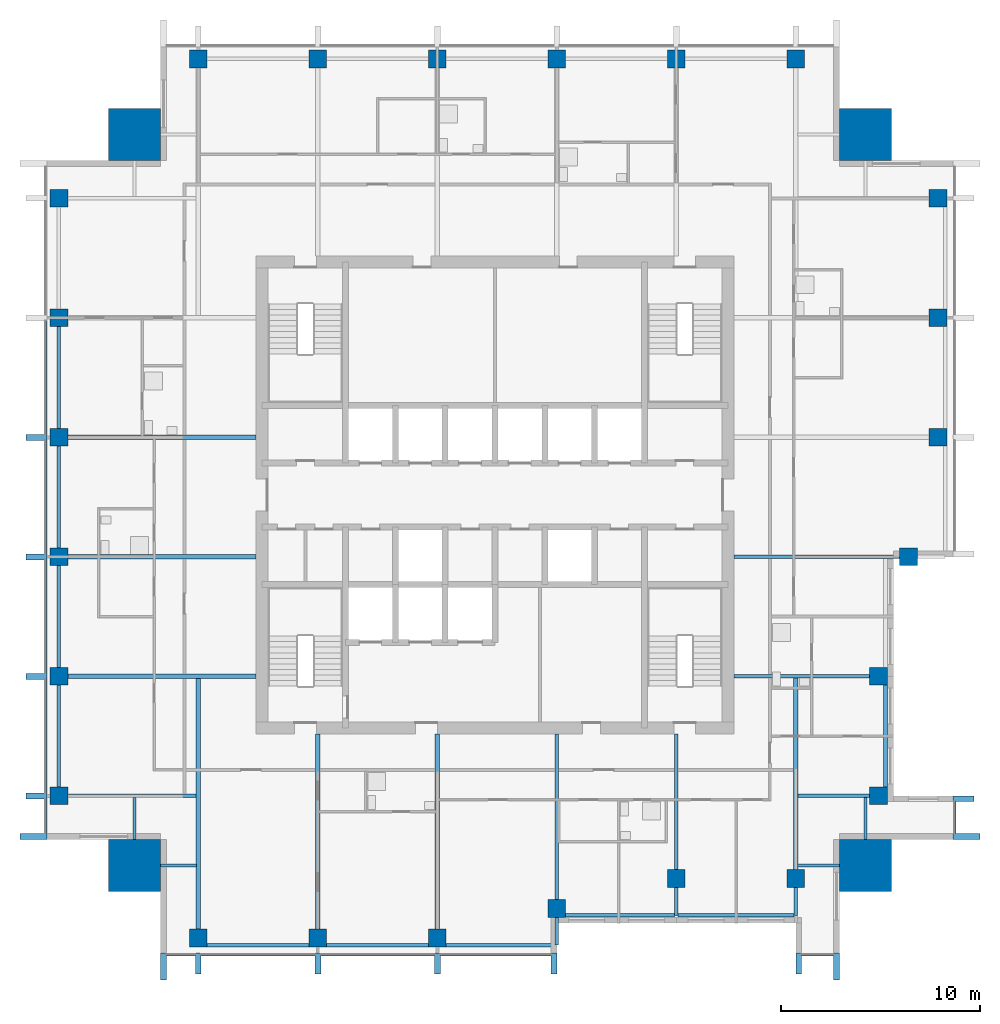
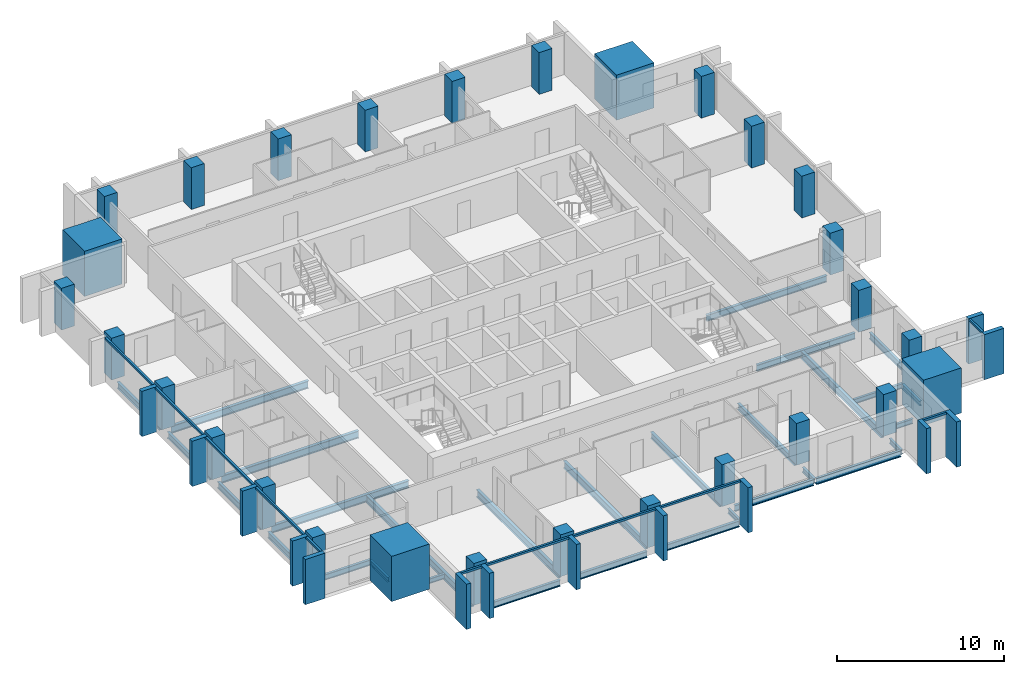
# One storey, part 1 of 9: 30 beams, 28 columns, 25 members, 4 elements without a shape of their own.
"""IFC4 building model written with IfcOpenShell, lengths in metres."""

import ifcopenshell
import ifcopenshell.guid

model = None  # the IFC model being written
_history = None  # IfcOwnerHistory: only IFC2X3 demands one
_inside = {}  # id of a spatial element -> (the spatial element, [elements in it])
_under = {}  # id of a project, library or spatial element -> (it, [spatial elements below it])
_declared = {}  # id of a project -> (the project, [libraries it declares])
_typed = {}  # id of a type object -> (the type object, [elements of that type])
_made_of = {}  # id of a material, layer set ... -> (it, [elements and type objects made of it])


def new_model(schema):
    """Start an empty IFC model of exactly this schema.

    Asked for "IFC4X3", IfcOpenShell would pick the latest addendum, in which some entities
    have other attributes; the version numbers below select the first issue.
    IFC2X3 requires an IfcOwnerHistory on every rooted entity: one is made here for all.
    """
    global model, _history
    if schema == "IFC4X3":
        model = ifcopenshell.file(schema_version=(4, 3, 0, 0))
    else:
        model = ifcopenshell.file(schema=schema)
    _inside.clear()
    _under.clear()
    _declared.clear()
    _typed.clear()
    _made_of.clear()
    _history = None
    if model.schema == "IFC2X3":
        org = make("IfcOrganization", Name="unknown")
        user = make(
            "IfcPersonAndOrganization",
            ThePerson=make("IfcPerson", FamilyName="unknown"),
            TheOrganization=org,
        )
        app = make(
            "IfcApplication",
            ApplicationDeveloper=org,
            Version="unknown",
            ApplicationFullName="unknown",
            ApplicationIdentifier="unknown",
        )
        _history = make(
            "IfcOwnerHistory",
            OwningUser=user,
            OwningApplication=app,
            ChangeAction="ADDED",
            CreationDate=0,
        )
    return model


def make(cls, **values):
    """One entity of the class cls with the attributes given. An attribute that is None is left unset."""
    return model.create_entity(
        cls, **{name: value for name, value in values.items() if value is not None}
    )


def rooted(cls, **values):
    """An entity with a GlobalId (a new one), such as an element, a storey or a relation."""
    return make(cls, GlobalId=ifcopenshell.guid.new(), OwnerHistory=_history, **values)


def si_unit(unit_type, name, prefix=None):
    """IfcSIUnit, for example si_unit("LENGTHUNIT", "METRE", prefix="MILLI")."""
    return make("IfcSIUnit", UnitType=unit_type, Prefix=prefix, Name=name)


def assignment(units):
    """IfcUnitAssignment: the units of a project."""
    return None if units is None else make("IfcUnitAssignment", Units=units)


def point(xyz):
    """IfcCartesianPoint."""
    return None if xyz is None else make("IfcCartesianPoint", Coordinates=xyz)


def direction(xyz):
    """IfcDirection."""
    return None if xyz is None else make("IfcDirection", DirectionRatios=xyz)


def frame(location, z_axis=None, x_axis=None):
    """IfcAxis2Placement3D, a coordinate frame: its origin and axes. An axis left out is left unset."""
    return make(
        "IfcAxis2Placement3D",
        Location=point(location),
        Axis=direction(z_axis),
        RefDirection=direction(x_axis),
    )


def frame_2d(location, x_axis=None):
    """IfcAxis2Placement2D, a coordinate frame in the plane: its origin and x axis."""
    return make(
        "IfcAxis2Placement2D", Location=point(location), RefDirection=direction(x_axis)
    )


def origin():
    """The frame at (0, 0, 0) with its axes left unset."""
    return frame((0.0, 0.0, 0.0))


def origin_2d():
    """The frame at (0, 0) in the plane with its x axis left unset."""
    return frame_2d((0.0, 0.0))


def place(relative_to, where):
    """IfcLocalPlacement: puts the frame where relative to a parent placement (None: the world)."""
    return make(
        "IfcLocalPlacement", PlacementRelTo=relative_to, RelativePlacement=where
    )


def context(
    kind, dimensions, precision=None, world=None, true_north=None, identifier=None
):
    """IfcGeometricRepresentationContext, for example the 3D "Model" context."""
    return make(
        "IfcGeometricRepresentationContext",
        ContextIdentifier=identifier,
        ContextType=kind,
        CoordinateSpaceDimension=dimensions,
        Precision=precision,
        WorldCoordinateSystem=world,
        TrueNorth=true_north,
    )


def subcontext(parent, identifier, kind, view, scale=None):
    """IfcGeometricRepresentationSubContext, for example "Body" below "Model"."""
    return make(
        "IfcGeometricRepresentationSubContext",
        ContextIdentifier=identifier,
        ContextType=kind,
        ParentContext=parent,
        TargetScale=scale,
        TargetView=view,
    )


def project(units=None, contexts=None):
    """IfcProject with its units and contexts."""
    return rooted(
        "IfcProject",
        Name="project",
        RepresentationContexts=contexts,
        UnitsInContext=assignment(units),
    )


def spatial(cls, under=None, at=None, **own):
    """A site, building, storey or space (cls), placed at a placement, below another one or the project."""
    s = rooted(cls, ObjectPlacement=at, **own)
    if under is not None:
        _under.setdefault(under.id(), (under, []))[1].append(s)
    return s


def profile(cls, at=None, kind="AREA", **sizes):
    """A parametric profile (cls). Its sizes go by their IFC names, for example OverallWidth=200.0."""
    return make(cls, ProfileType=kind, Position=at, **sizes)


def rectangle(**sizes):
    """IfcRectangleProfileDef."""
    return profile("IfcRectangleProfileDef", **sizes)


def i_section(**sizes):
    """IfcIShapeProfileDef."""
    return profile("IfcIShapeProfileDef", **sizes)


def extrude(swept, where, along, depth):
    """IfcExtrudedAreaSolid: the profile swept, set in the frame where, extruded along a direction by depth."""
    return make(
        "IfcExtrudedAreaSolid",
        SweptArea=swept,
        Position=where,
        ExtrudedDirection=direction(along),
        Depth=depth,
    )


def shape(context_of_items, identifier, shape_type, items):
    """IfcShapeRepresentation: the items that make up one representation, for example the "Body"."""
    return make(
        "IfcShapeRepresentation",
        ContextOfItems=context_of_items,
        RepresentationIdentifier=identifier,
        RepresentationType=shape_type,
        Items=items,
    )


def material(Name=None, Category=None):
    """IfcMaterial."""
    return make("IfcMaterial", Name=Name, Category=Category)


def material_profile(
    of_material, cross_section, Name=None, Category=None, Priority=None
):
    """IfcMaterialProfile: a cross section and its material."""
    return make(
        "IfcMaterialProfile",
        Name=Name,
        Material=of_material,
        Profile=cross_section,
        Priority=Priority,
        Category=Category,
    )


def profile_set(profiles, Name=None, composite=None):
    """IfcMaterialProfileSet."""
    return make(
        "IfcMaterialProfileSet",
        Name=Name,
        MaterialProfiles=profiles,
        CompositeProfile=composite,
    )


def made_of(thing, what):
    """Note that an element or type object is made of a material, layer set ...; save() writes the relation."""
    if what is not None:
        _made_of.setdefault(what.id(), (what, []))[1].append(thing)
    return thing


def type_object(cls, material=None, **own):
    """A type object (cls), such as IfcWallType, which elements share."""
    return made_of(rooted(cls, **own), material)


def element(
    cls,
    number,
    at=None,
    inside=None,
    cuts=None,
    type_object=None,
    material=None,
    context=None,
    identifier="Body",
    shape_type=None,
    held_by="IfcProductDefinitionShape",
    body=None,
    shapes=None,
    **own,
):
    """One element of the class cls, such as IfcWall. Its Tag is "e" and its number.

    at: its placement. inside: the storey or other place that contains it. cuts: it is an
    opening in that element (IfcRelVoidsElement). A single representation is given by context,
    identifier, shape_type and body (its items); several are given by shapes. held_by: the class
    of the entity that holds the representations. save() writes the other relations.
    """
    e = rooted(cls, Tag="e%d" % number, ObjectPlacement=at, **own)
    if body is not None:
        shapes = [shape(context, identifier, shape_type, body)]
    if shapes is not None:
        e.Representation = make(held_by, Representations=shapes)
    if inside is not None:
        _inside.setdefault(inside.id(), (inside, []))[1].append(e)
    if cuts is not None:
        rooted(
            "IfcRelVoidsElement", RelatingBuildingElement=cuts, RelatedOpeningElement=e
        )
    if type_object is not None:
        _typed.setdefault(type_object.id(), (type_object, []))[1].append(e)
    return made_of(e, material)


def aggregate(whole, parts):
    """IfcRelAggregates: a whole, such as a stair, and the parts it consists of."""
    return rooted("IfcRelAggregates", RelatingObject=whole, RelatedObjects=parts)


def save(model, path):
    """Write the relations noted so far, then the file.

    IfcRelAggregates (storeys below a building ...), IfcRelContainedInSpatialStructure (elements
    in a storey), IfcRelDefinesByType, IfcRelAssociatesMaterial and IfcRelDeclares: one each for
    every whole, place, type object, material and project.
    """
    for whole, parts in _under.values():
        aggregate(whole, parts)
    for where, things in _inside.values():
        rooted(
            "IfcRelContainedInSpatialStructure",
            RelatedElements=things,
            RelatingStructure=where,
        )
    for kind, things in _typed.values():
        rooted("IfcRelDefinesByType", RelatedObjects=things, RelatingType=kind)
    for what, things in _made_of.values():
        rooted("IfcRelAssociatesMaterial", RelatedObjects=things, RelatingMaterial=what)
    for by, libraries in _declared.values():
        rooted("IfcRelDeclares", RelatingContext=by, RelatedDefinitions=libraries)
    model.write(path)


model = new_model("IFC4")

# Units and contexts
model_context = context("Model", 3, precision=1e-05, world=origin(), true_north=direction((0.0, 1.0)))
body_context = subcontext(model_context, "Body", "Model", "MODEL_VIEW")
ifc_project = project(units=[si_unit("LENGTHUNIT", "METRE"), si_unit("AREAUNIT", "SQUARE_METRE"), si_unit("VOLUMEUNIT", "CUBIC_METRE"), si_unit("PLANEANGLEUNIT", "RADIAN"), si_unit("MASSUNIT", "GRAM", prefix="KILO")], contexts=[model_context])

# Site, building, storey
site_placement = place(None, origin())
site = spatial("IfcSite", under=ifc_project, at=site_placement, CompositionType="ELEMENT")
building_placement = place(site_placement, origin())
building = spatial("IfcBuilding", under=site, at=building_placement, Name="Amberfall Residences", CompositionType="ELEMENT")
storey_placement = place(building_placement, frame((0.0, 0.0, 210.10009765625)))
storey = spatial("IfcBuildingStorey", under=building, at=storey_placement, Name="L56", CompositionType="ELEMENT", Elevation=210.10009765625)

# Columns
ifc_material_1 = material(Name="Concrete C55", Category="concrete")
ifc_material_profile_1 = material_profile(ifc_material_1, rectangle(XDim=0.89990234375, YDim=0.89990234375, at=origin_2d()), Name="Column 900 x 900 C55")
ifc_profile_set_1 = profile_set([ifc_material_profile_1], Name="Concrete C55")
column_type_1 = type_object("IfcColumnType", Name="Column 900 x 900 C55", PredefinedType="COLUMN", material=ifc_profile_set_1)
for number, where, z_axis, x_axis, name in (
    (1, (59.60009765625, 23.25, 0.0), (0.0, 0.0, 1.0), (1.0, 0.0, 0.0), "Column C4 L56 S1"),
    (2, (65.60009765625, 23.25, 0.0), (0.0, 0.0, 1.0), (1.0, 0.0, 0.0), "Column C4 L56 S2"),
    (3, (71.60009765625, 23.25, 0.0), (0.0, 0.0, 1.0), (1.0, 0.0, 0.0), "Column C4 L56 S3"),
    (4, (77.60009765625, 24.75, 0.0), (0.0, 0.0, 1.0), (1.0, 0.0, 0.0), "Column C4 L56 S4"),
    (5, (83.60009765625, 26.25, 0.0), (0.0, 0.0, 1.0), (1.0, 0.0, 0.0), "Column C4 L56 S5"),
    (6, (89.60009765625, 26.25, 0.0), (0.0, 0.0, 1.0), (1.0, 0.0, 0.0), "Column C4 L56 S6"),
    (7, (93.75, 30.39990234375, 0.0), (0.0, 0.0, 1.0), (1.0, 0.0, 0.0), "Column C4 L56 E1"),
    (8, (93.75, 36.39990234375, 0.0), (0.0, 0.0, 1.0), (1.0, 0.0, 0.0), "Column C4 L56 E2"),
    (9, (95.25, 42.39990234375, 0.0), (0.0, 0.0, 1.0), (1.0, 0.0, 0.0), "Column C4 L56 E3"),
    (10, (96.75, 48.39990234375, 0.0), (0.0, 0.0, 1.0), (1.0, 0.0, 0.0), "Column C4 L56 E4"),
    (11, (96.75, 54.39990234375, 0.0), (0.0, 0.0, 1.0), (1.0, 0.0, 0.0), "Column C4 L56 E5"),
    (12, (96.75, 60.39990234375, 0.0), (0.0, 0.0, 1.0), (1.0, 0.0, 0.0), "Column C4 L56 E6"),
    (13, (59.60009765625, 67.39990234375, 0.0), (0.0, 0.0, 1.0), (1.0, 0.0, 0.0), "Column C4 L56 N1"),
    (14, (65.60009765625, 67.39990234375, 0.0), (0.0, 0.0, 1.0), (1.0, 0.0, 0.0), "Column C4 L56 N2"),
    (15, (71.60009765625, 67.39990234375, 0.0), (0.0, 0.0, 1.0), (1.0, 0.0, 0.0), "Column C4 L56 N3"),
    (16, (77.60009765625, 67.39990234375, 0.0), (0.0, 0.0, 1.0), (1.0, 0.0, 0.0), "Column C4 L56 N4"),
    (17, (83.60009765625, 67.39990234375, 0.0), (0.0, 0.0, 1.0), (1.0, 0.0, 0.0), "Column C4 L56 N5"),
    (18, (89.60009765625, 67.39990234375, 0.0), (0.0, 0.0, 1.0), (1.0, 0.0, 0.0), "Column C4 L56 N6"),
    (19, (52.60009765625, 30.39990234375, 0.0), (0.0, 0.0, 1.0), (1.0, 0.0, 0.0), "Column C4 L56 W1"),
    (20, (52.60009765625, 36.39990234375, 0.0), (0.0, 0.0, 1.0), (1.0, 0.0, 0.0), "Column C4 L56 W2"),
    (21, (52.60009765625, 42.39990234375, 0.0), (0.0, 0.0, 1.0), (1.0, 0.0, 0.0), "Column C4 L56 W3"),
    (22, (52.60009765625, 48.39990234375, 0.0), (0.0, 0.0, 1.0), (1.0, 0.0, 0.0), "Column C4 L56 W4"),
    (23, (52.60009765625, 54.39990234375, 0.0), (0.0, 0.0, 1.0), (1.0, 0.0, 0.0), "Column C4 L56 W5"),
    (24, (52.60009765625, 60.39990234375, 0.0), (0.0, 0.0, 1.0), (1.0, 0.0, 0.0), "Column C4 L56 W6"),
):
    element("IfcColumn", number, at=place(storey_placement, frame(where, z_axis=z_axis, x_axis=x_axis)), inside=storey, type_object=column_type_1, Name=name, PredefinedType="COLUMN", context=body_context, shape_type="SweptSolid", body=[
        extrude(rectangle(XDim=0.89990234375, YDim=0.89990234375, at=origin_2d()), origin(), (0.0, 0.0, 1.0), 3.0498046875),
    ])
ifc_material_profile_2 = material_profile(ifc_material_1, rectangle(XDim=2.60009765625, YDim=2.60009765625, at=origin_2d()), Name="Mega column 2600 x 2600 C55")
ifc_profile_set_2 = profile_set([ifc_material_profile_2], Name="Concrete C55")
column_type_2 = type_object("IfcColumnType", Name="Mega column 2600 x 2600 C55", PredefinedType="COLUMN", material=ifc_profile_set_2)
for number, where, z_axis, x_axis, name in (
    (25, (56.39990234375, 26.89990234375, 0.0), (0.0, 0.0, 1.0), (1.0, 0.0, 0.0), "Mega column MC8 L56 SW"),
    (26, (93.10009765625, 26.89990234375, 0.0), (0.0, 0.0, 1.0), (1.0, 0.0, 0.0), "Mega column MC8 L56 SE"),
    (27, (93.10009765625, 63.60009765625, 0.0), (0.0, 0.0, 1.0), (1.0, 0.0, 0.0), "Mega column MC8 L56 NE"),
    (28, (56.39990234375, 63.60009765625, 0.0), (0.0, 0.0, 1.0), (1.0, 0.0, 0.0), "Mega column MC8 L56 NW"),
):
    element("IfcColumn", number, at=place(storey_placement, frame(where, z_axis=z_axis, x_axis=x_axis)), inside=storey, type_object=column_type_2, Name=name, PredefinedType="COLUMN", context=body_context, shape_type="SweptSolid", body=[
        extrude(rectangle(XDim=2.60009765625, YDim=2.60009765625, at=origin_2d()), origin(), (0.0, 0.0, 1.0), 3.2998046875),
    ])

# Curtain wall, members
ifc_material_2 = material(Name="Bronze anodised aluminium and glass", Category="aluminium")
curtain_wall_type = type_object("IfcCurtainWallType", Name="Curtain wall CW1 tower unit", PredefinedType="USERDEFINED", material=ifc_material_2)
curtain_wall_1_placement = place(storey_placement, origin())
curtain_wall_1 = element("IfcCurtainWall", 29, at=curtain_wall_1_placement, inside=storey, type_object=curtain_wall_type, Name="Curtain wall L56 S S1", ObjectType="UNITISED CURTAIN WALL", PredefinedType="USERDEFINED")
ifc_material_3 = material(Name="Bronze anodised aluminium", Category="aluminium")
ifc_material_profile_3 = material_profile(ifc_material_3, rectangle(XDim=0.14990234375, YDim=0.14990234375, at=origin_2d()), Name="CW1 transom 150 x 150 bronze")
ifc_profile_set_3 = profile_set([ifc_material_profile_3], Name="Bronze anodised aluminium")
member_type_1 = type_object("IfcMemberType", Name="CW1 transom 150 x 150 bronze", PredefinedType="USERDEFINED", material=ifc_profile_set_3)
member_1_placement = place(storey_placement, frame((58.0, 22.425048828125, 2.974853515625), z_axis=(1.0, 0.0, 0.0), x_axis=(0.0, 1.0, 0.0)))
member_1 = element("IfcMember", 30, at=member_1_placement, type_object=member_type_1, Name="CW1 transom 1.1", ObjectType="TRANSOM", PredefinedType="USERDEFINED", context=body_context, shape_type="SweptSolid", body=[
    extrude(rectangle(XDim=0.14990234375, YDim=0.14990234375, at=origin_2d()), origin(), (0.0, 0.0, 1.0), 1.449951171875),
])
member_2_placement = place(storey_placement, frame((59.75, 22.425048828125, 2.974853515625), z_axis=(1.0, 0.0, 0.0), x_axis=(0.0, 1.0, 0.0)))
member_2 = element("IfcMember", 31, at=member_2_placement, type_object=member_type_1, Name="CW1 transom 2.1", ObjectType="TRANSOM", PredefinedType="USERDEFINED", context=body_context, shape_type="SweptSolid", body=[
    extrude(rectangle(XDim=0.14990234375, YDim=0.14990234375, at=origin_2d()), origin(), (0.0, 0.0, 1.0), 5.699951171875),
])
member_3_placement = place(storey_placement, frame((65.75, 22.425048828125, 2.974853515625), z_axis=(1.0, 0.0, 0.0), x_axis=(0.0, 1.0, 0.0)))
member_3 = element("IfcMember", 32, at=member_3_placement, type_object=member_type_1, Name="CW1 transom 3.1", ObjectType="TRANSOM", PredefinedType="USERDEFINED", context=body_context, shape_type="SweptSolid", body=[
    extrude(rectangle(XDim=0.14990234375, YDim=0.14990234375, at=origin_2d()), origin(), (0.0, 0.0, 1.0), 5.699951171875),
])
member_4_placement = place(storey_placement, frame((71.75, 22.425048828125, 2.974853515625), z_axis=(1.0, 0.0, 0.0), x_axis=(0.0, 1.0, 0.0)))
member_4 = element("IfcMember", 33, at=member_4_placement, type_object=member_type_1, Name="CW1 transom 4.1", ObjectType="TRANSOM", PredefinedType="USERDEFINED", context=body_context, shape_type="SweptSolid", body=[
    extrude(rectangle(XDim=0.14990234375, YDim=0.14990234375, at=origin_2d()), origin(), (0.0, 0.0, 1.0), 5.550048828125),
])

# Curtain wall, member
curtain_wall_2_placement = place(storey_placement, origin())
curtain_wall_2 = element("IfcCurtainWall", 34, at=curtain_wall_2_placement, inside=storey, type_object=curtain_wall_type, Name="Curtain wall L56 S S6", ObjectType="UNITISED CURTAIN WALL", PredefinedType="USERDEFINED")
member_5_placement = place(storey_placement, frame((89.89990234375, 22.425048828125, 2.974853515625), z_axis=(1.0, 0.0, 0.0), x_axis=(0.0, 1.0, 0.0)))
member_5 = element("IfcMember", 35, at=member_5_placement, type_object=member_type_1, Name="CW1 transom 1.1", ObjectType="TRANSOM", PredefinedType="USERDEFINED", context=body_context, shape_type="SweptSolid", body=[
    extrude(rectangle(XDim=0.14990234375, YDim=0.14990234375, at=origin_2d()), origin(), (0.0, 0.0, 1.0), 1.60009765625),
])

curtain_wall_3_placement = place(storey_placement, origin())
curtain_wall_3 = element("IfcCurtainWall", 36, at=curtain_wall_3_placement, inside=storey, type_object=curtain_wall_type, Name="Curtain wall L56 E E1", ObjectType="UNITISED CURTAIN WALL", PredefinedType="USERDEFINED")
member_6_placement = place(storey_placement, frame((97.574951171875, 28.5, 2.974853515625), z_axis=(0.0, 1.0, 0.0), x_axis=(-1.0, 0.0, 0.0)))
member_6 = element("IfcMember", 37, at=member_6_placement, type_object=member_type_1, Name="CW1 transom 1.1", ObjectType="TRANSOM", PredefinedType="USERDEFINED", context=body_context, shape_type="SweptSolid", body=[
    extrude(rectangle(XDim=0.14990234375, YDim=0.14990234375, at=origin_2d()), origin(), (0.0, 0.0, 1.0), 1.60009765625),
])

# Curtain wall, members
curtain_wall_4_placement = place(storey_placement, origin())
curtain_wall_4 = element("IfcCurtainWall", 38, at=curtain_wall_4_placement, inside=storey, type_object=curtain_wall_type, Name="Curtain wall L56 W W1", ObjectType="UNITISED CURTAIN WALL", PredefinedType="USERDEFINED")
member_7_placement = place(storey_placement, frame((51.925048828125, 54.25, 2.974853515625), z_axis=(0.0, -1.0, 0.0), x_axis=(1.0, 0.0, 0.0)))
member_7 = element("IfcMember", 39, at=member_7_placement, type_object=member_type_1, Name="CW1 transom 3.1", ObjectType="TRANSOM", PredefinedType="USERDEFINED", context=body_context, shape_type="SweptSolid", body=[
    extrude(rectangle(XDim=0.14990234375, YDim=0.14990234375, at=origin_2d()), origin(), (0.0, 0.0, 1.0), 5.699951171875),
])
member_8_placement = place(storey_placement, frame((51.925048828125, 48.25, 2.974853515625), z_axis=(0.0, -1.0, 0.0), x_axis=(1.0, 0.0, 0.0)))
member_8 = element("IfcMember", 40, at=member_8_placement, type_object=member_type_1, Name="CW1 transom 4.1", ObjectType="TRANSOM", PredefinedType="USERDEFINED", context=body_context, shape_type="SweptSolid", body=[
    extrude(rectangle(XDim=0.14990234375, YDim=0.14990234375, at=origin_2d()), origin(), (0.0, 0.0, 1.0), 5.699951171875),
])
member_9_placement = place(storey_placement, frame((51.925048828125, 42.25, 2.974853515625), z_axis=(0.0, -1.0, 0.0), x_axis=(1.0, 0.0, 0.0)))
member_9 = element("IfcMember", 41, at=member_9_placement, type_object=member_type_1, Name="CW1 transom 5.1", ObjectType="TRANSOM", PredefinedType="USERDEFINED", context=body_context, shape_type="SweptSolid", body=[
    extrude(rectangle(XDim=0.14990234375, YDim=0.14990234375, at=origin_2d()), origin(), (0.0, 0.0, 1.0), 5.699951171875),
])
member_10_placement = place(storey_placement, frame((51.925048828125, 36.25, 2.974853515625), z_axis=(0.0, -1.0, 0.0), x_axis=(1.0, 0.0, 0.0)))
member_10 = element("IfcMember", 42, at=member_10_placement, type_object=member_type_1, Name="CW1 transom 6.1", ObjectType="TRANSOM", PredefinedType="USERDEFINED", context=body_context, shape_type="SweptSolid", body=[
    extrude(rectangle(XDim=0.14990234375, YDim=0.14990234375, at=origin_2d()), origin(), (0.0, 0.0, 1.0), 5.699951171875),
])
member_11_placement = place(storey_placement, frame((51.925048828125, 30.25, 2.974853515625), z_axis=(0.0, -1.0, 0.0), x_axis=(1.0, 0.0, 0.0)))
member_11 = element("IfcMember", 43, at=member_11_placement, type_object=member_type_1, Name="CW1 transom 7.1", ObjectType="TRANSOM", PredefinedType="USERDEFINED", context=body_context, shape_type="SweptSolid", body=[
    extrude(rectangle(XDim=0.14990234375, YDim=0.14990234375, at=origin_2d()), origin(), (0.0, 0.0, 1.0), 1.75),
])

# Beams
ifc_material_4 = material(Name="Steel S355", Category="steel")
ifc_material_profile_4 = material_profile(ifc_material_4, i_section(OverallWidth=0.171142578125, OverallDepth=0.351318359375, WebThickness=0.007080078125, FlangeThickness=0.009765625, FilletRadius=0.01025390625, at=origin_2d()), Name="UB 356x171x45")
ifc_profile_set_4 = profile_set([ifc_material_profile_4], Name="Steel S355")
beam_type_1 = type_object("IfcBeamType", Name="Cantilever girder UB 356x171x45", PredefinedType="BEAM", material=ifc_profile_set_4)
for number, where, z_axis, x_axis, name in (
    (44, (77.60009765625, 24.300048828125, -0.42578125), (0.0, -1.0, 0.0), (1.0, 0.0, 0.0), "Cantilever girder B8 L56 06"),
    (45, (83.60009765625, 25.800048828125, -0.42578125), (0.0, -1.0, 0.0), (1.0, 0.0, 0.0), "Cantilever girder B8 L56 07"),
    (46, (89.60009765625, 25.800048828125, -0.42578125), (0.0, -1.0, 0.0), (1.0, 0.0, 0.0), "Cantilever girder B8 L56 08"),
):
    element("IfcBeam", number, at=place(storey_placement, frame(where, z_axis=z_axis, x_axis=x_axis)), inside=storey, type_object=beam_type_1, Name=name, PredefinedType="BEAM", context=body_context, shape_type="SweptSolid", body=[
        extrude(i_section(OverallWidth=0.171142578125, OverallDepth=0.351318359375, WebThickness=0.007080078125, FlangeThickness=0.009765625, FilletRadius=0.01025390625, at=origin_2d()), origin(), (0.0, 0.0, 1.0), 1.400146484375),
    ])

# Member
ifc_material_profile_5 = material_profile(ifc_material_3, rectangle(XDim=1.35009765625, YDim=0.300048828125, at=origin_2d()), Name="Corner fin 300 x 1350 bronze")
ifc_profile_set_5 = profile_set([ifc_material_profile_5], Name="Bronze anodised aluminium")
member_type_2 = type_object("IfcMemberType", Name="Corner fin 300 x 1350 bronze", PredefinedType="MULLION", material=ifc_profile_set_5)
member_12_placement = place(storey_placement, frame((57.85009765625, 21.824951171875, -0.25), z_axis=(0.0, 0.0, 1.0), x_axis=(0.0, 1.0, 0.0)))
member_12 = element("IfcMember", 47, at=member_12_placement, type_object=member_type_2, Name="CW FIN 1", PredefinedType="MULLION", context=body_context, shape_type="SweptSolid", body=[
    extrude(rectangle(XDim=1.35009765625, YDim=0.300048828125, at=origin_2d()), origin(), (0.0, 0.0, 1.0), 3.2998046875),
])

member_13_placement = place(storey_placement, frame((91.64990234375, 21.824951171875, -0.25), z_axis=(0.0, 0.0, 1.0), x_axis=(0.0, 1.0, 0.0)))
member_13 = element("IfcMember", 48, at=member_13_placement, type_object=member_type_2, Name="CW FIN 2", PredefinedType="MULLION", context=body_context, shape_type="SweptSolid", body=[
    extrude(rectangle(XDim=1.35009765625, YDim=0.300048828125, at=origin_2d()), origin(), (0.0, 0.0, 1.0), 3.2998046875),
])

member_14_placement = place(storey_placement, frame((98.175048828125, 28.35009765625, -0.25), z_axis=(0.0, 0.0, 1.0), x_axis=(-1.0, 0.0, 0.0)))
member_14 = element("IfcMember", 49, at=member_14_placement, type_object=member_type_2, Name="CW FIN 1", PredefinedType="MULLION", context=body_context, shape_type="SweptSolid", body=[
    extrude(rectangle(XDim=1.35009765625, YDim=0.300048828125, at=origin_2d()), origin(), (0.0, 0.0, 1.0), 3.2998046875),
])

member_15_placement = place(storey_placement, frame((51.324951171875, 28.35009765625, -0.25), z_axis=(0.0, 0.0, 1.0), x_axis=(1.0, 0.0, 0.0)))
member_15 = element("IfcMember", 50, at=member_15_placement, type_object=member_type_2, Name="CW FIN 8", PredefinedType="MULLION", context=body_context, shape_type="SweptSolid", body=[
    extrude(rectangle(XDim=1.35009765625, YDim=0.300048828125, at=origin_2d()), origin(), (0.0, 0.0, 1.0), 3.2998046875),
])

# Beams
ifc_material_profile_6 = material_profile(ifc_material_4, i_section(OverallWidth=0.18994140625, OverallDepth=0.453369140625, WebThickness=0.008544921875, FlangeThickness=0.0126953125, FilletRadius=0.01025390625, at=origin_2d()), Name="UB 457x191x67")
ifc_profile_set_6 = profile_set([ifc_material_profile_6], Name="Steel S355")
beam_type_2 = type_object("IfcBeamType", Name="Edge beam UB 457x191x67", PredefinedType="SPANDREL", material=ifc_profile_set_6)
for number, where, z_axis, x_axis, name in (
    (51, (60.050048828125, 22.89990234375, -0.476806640625), (1.0, 0.0, 0.0), (0.0, 1.0, 0.0), "Edge beam B1 L56 01"),
    (52, (66.050048828125, 22.89990234375, -0.476806640625), (1.0, 0.0, 0.0), (0.0, 1.0, 0.0), "Edge beam B1 L56 02"),
):
    element("IfcBeam", number, at=place(storey_placement, frame(where, z_axis=z_axis, x_axis=x_axis)), inside=storey, type_object=beam_type_2, Name=name, PredefinedType="SPANDREL", context=body_context, shape_type="SweptSolid", body=[
        extrude(i_section(OverallWidth=0.18994140625, OverallDepth=0.453369140625, WebThickness=0.008544921875, FlangeThickness=0.0126953125, FilletRadius=0.01025390625, at=origin_2d()), origin(), (0.0, 0.0, 1.0), 5.099853515625),
    ])
for number, where, z_axis, x_axis, name in (
    (53, (72.050048828125, 22.89990234375, -0.476806640625), (1.0, 0.0, 0.0), (0.0, 1.0, 0.0), "Edge beam B1 L56 03"),
    (54, (78.050048828125, 24.39990234375, -0.476806640625), (1.0, 0.0, 0.0), (0.0, 1.0, 0.0), "Edge beam B1 L56 04"),
):
    element("IfcBeam", number, at=place(storey_placement, frame(where, z_axis=z_axis, x_axis=x_axis)), inside=storey, type_object=beam_type_2, Name=name, PredefinedType="SPANDREL", context=body_context, shape_type="SweptSolid", body=[
        extrude(i_section(OverallWidth=0.18994140625, OverallDepth=0.453369140625, WebThickness=0.008544921875, FlangeThickness=0.0126953125, FilletRadius=0.01025390625, at=origin_2d()), origin(), (0.0, 0.0, 1.0), 5.469970703125),
    ])
beam_1_placement = place(storey_placement, frame((83.679931640625, 24.39990234375, -0.476806640625), z_axis=(1.0, 0.0, 0.0), x_axis=(0.0, 1.0, 0.0)))
element("IfcBeam", 55, at=beam_1_placement, inside=storey, type_object=beam_type_2, Name="Edge beam B1 L56 05", PredefinedType="SPANDREL", context=body_context, shape_type="SweptSolid", body=[
    extrude(i_section(OverallWidth=0.18994140625, OverallDepth=0.453369140625, WebThickness=0.008544921875, FlangeThickness=0.0126953125, FilletRadius=0.01025390625, at=origin_2d()), origin(), (0.0, 0.0, 1.0), 5.840087890625),
])
for number, where, z_axis, x_axis, name in (
    (56, (94.10009765625, 30.85009765625, -0.476806640625), (0.0, 1.0, 0.0), (-1.0, 0.0, 0.0), "Edge beam B1 L56 15"),
    (57, (52.60009765625, 30.85009765625, -0.476806640625), (0.0, 1.0, 0.0), (-1.0, 0.0, 0.0), "Edge beam B1 L56 38"),
    (58, (52.60009765625, 36.85009765625, -0.476806640625), (0.0, 1.0, 0.0), (-1.0, 0.0, 0.0), "Edge beam B1 L56 39"),
    (59, (52.60009765625, 42.85009765625, -0.476806640625), (0.0, 1.0, 0.0), (-1.0, 0.0, 0.0), "Edge beam B1 L56 40"),
    (60, (52.60009765625, 48.85009765625, -0.476806640625), (0.0, 1.0, 0.0), (-1.0, 0.0, 0.0), "Edge beam B1 L56 41"),
):
    element("IfcBeam", number, at=place(storey_placement, frame(where, z_axis=z_axis, x_axis=x_axis)), inside=storey, type_object=beam_type_2, Name=name, PredefinedType="SPANDREL", context=body_context, shape_type="SweptSolid", body=[
        extrude(i_section(OverallWidth=0.18994140625, OverallDepth=0.453369140625, WebThickness=0.008544921875, FlangeThickness=0.0126953125, FilletRadius=0.01025390625, at=origin_2d()), origin(), (0.0, 0.0, 1.0), 5.099853515625),
    ])

# Member
ifc_material_profile_7 = material_profile(ifc_material_3, rectangle(XDim=1.050048828125, YDim=0.300048828125, at=origin_2d()), Name="Fin 300 x 1050 bronze")
ifc_profile_set_7 = profile_set([ifc_material_profile_7], Name="Bronze anodised aluminium")
member_type_3 = type_object("IfcMemberType", Name="Fin 300 x 1050 bronze", PredefinedType="MULLION", material=ifc_profile_set_7)
member_16_placement = place(storey_placement, frame((59.60009765625, 21.97509765625, -0.25), z_axis=(0.0, 0.0, 1.0), x_axis=(0.0, 1.0, 0.0)))
member_16 = element("IfcMember", 61, at=member_16_placement, type_object=member_type_3, Name="CW FIN 2", PredefinedType="MULLION", context=body_context, shape_type="SweptSolid", body=[
    extrude(rectangle(XDim=1.050048828125, YDim=0.300048828125, at=origin_2d()), origin(), (0.0, 0.0, 1.0), 3.2998046875),
])

member_17_placement = place(storey_placement, frame((65.60009765625, 21.97509765625, -0.25), z_axis=(0.0, 0.0, 1.0), x_axis=(0.0, 1.0, 0.0)))
member_17 = element("IfcMember", 62, at=member_17_placement, type_object=member_type_3, Name="CW FIN 3", PredefinedType="MULLION", context=body_context, shape_type="SweptSolid", body=[
    extrude(rectangle(XDim=1.050048828125, YDim=0.300048828125, at=origin_2d()), origin(), (0.0, 0.0, 1.0), 3.2998046875),
])

member_18_placement = place(storey_placement, frame((71.60009765625, 21.97509765625, -0.25), z_axis=(0.0, 0.0, 1.0), x_axis=(0.0, 1.0, 0.0)))
member_18 = element("IfcMember", 63, at=member_18_placement, type_object=member_type_3, Name="CW FIN 4", PredefinedType="MULLION", context=body_context, shape_type="SweptSolid", body=[
    extrude(rectangle(XDim=1.050048828125, YDim=0.300048828125, at=origin_2d()), origin(), (0.0, 0.0, 1.0), 3.2998046875),
])

member_19_placement = place(storey_placement, frame((77.449951171875, 21.97509765625, -0.25), z_axis=(0.0, 0.0, 1.0), x_axis=(0.0, 1.0, 0.0)))
member_19 = element("IfcMember", 64, at=member_19_placement, type_object=member_type_3, Name="CW FIN 5", PredefinedType="MULLION", context=body_context, shape_type="SweptSolid", body=[
    extrude(rectangle(XDim=1.050048828125, YDim=0.300048828125, at=origin_2d()), origin(), (0.0, 0.0, 1.0), 3.2998046875),
])

aggregate(curtain_wall_1, [member_12, member_16, member_17, member_18, member_19, member_1, member_2, member_3, member_4])

member_20_placement = place(storey_placement, frame((89.75, 21.97509765625, -0.25), z_axis=(0.0, 0.0, 1.0), x_axis=(0.0, 1.0, 0.0)))
member_20 = element("IfcMember", 65, at=member_20_placement, type_object=member_type_3, Name="CW FIN 1", PredefinedType="MULLION", context=body_context, shape_type="SweptSolid", body=[
    extrude(rectangle(XDim=1.050048828125, YDim=0.300048828125, at=origin_2d()), origin(), (0.0, 0.0, 1.0), 3.2998046875),
])

aggregate(curtain_wall_2, [member_20, member_13, member_5])

member_21_placement = place(storey_placement, frame((98.02490234375, 30.25, -0.25), z_axis=(0.0, 0.0, 1.0), x_axis=(-1.0, 0.0, 0.0)))
member_21 = element("IfcMember", 66, at=member_21_placement, type_object=member_type_3, Name="CW FIN 2", PredefinedType="MULLION", context=body_context, shape_type="SweptSolid", body=[
    extrude(rectangle(XDim=1.050048828125, YDim=0.300048828125, at=origin_2d()), origin(), (0.0, 0.0, 1.0), 3.2998046875),
])

aggregate(curtain_wall_3, [member_14, member_21, member_6])

member_22_placement = place(storey_placement, frame((51.47509765625, 48.39990234375, -0.25), z_axis=(0.0, 0.0, 1.0), x_axis=(1.0, 0.0, 0.0)))
member_22 = element("IfcMember", 67, at=member_22_placement, type_object=member_type_3, Name="CW FIN 4", PredefinedType="MULLION", context=body_context, shape_type="SweptSolid", body=[
    extrude(rectangle(XDim=1.050048828125, YDim=0.300048828125, at=origin_2d()), origin(), (0.0, 0.0, 1.0), 3.2998046875),
])

member_23_placement = place(storey_placement, frame((51.47509765625, 42.39990234375, -0.25), z_axis=(0.0, 0.0, 1.0), x_axis=(1.0, 0.0, 0.0)))
member_23 = element("IfcMember", 68, at=member_23_placement, type_object=member_type_3, Name="CW FIN 5", PredefinedType="MULLION", context=body_context, shape_type="SweptSolid", body=[
    extrude(rectangle(XDim=1.050048828125, YDim=0.300048828125, at=origin_2d()), origin(), (0.0, 0.0, 1.0), 3.2998046875),
])

member_24_placement = place(storey_placement, frame((51.47509765625, 36.39990234375, -0.25), z_axis=(0.0, 0.0, 1.0), x_axis=(1.0, 0.0, 0.0)))
member_24 = element("IfcMember", 69, at=member_24_placement, type_object=member_type_3, Name="CW FIN 6", PredefinedType="MULLION", context=body_context, shape_type="SweptSolid", body=[
    extrude(rectangle(XDim=1.050048828125, YDim=0.300048828125, at=origin_2d()), origin(), (0.0, 0.0, 1.0), 3.2998046875),
])

member_25_placement = place(storey_placement, frame((51.47509765625, 30.39990234375, -0.25), z_axis=(0.0, 0.0, 1.0), x_axis=(1.0, 0.0, 0.0)))
member_25 = element("IfcMember", 70, at=member_25_placement, type_object=member_type_3, Name="CW FIN 7", PredefinedType="MULLION", context=body_context, shape_type="SweptSolid", body=[
    extrude(rectangle(XDim=1.050048828125, YDim=0.300048828125, at=origin_2d()), origin(), (0.0, 0.0, 1.0), 3.2998046875),
])

aggregate(curtain_wall_4, [member_22, member_23, member_24, member_25, member_15, member_7, member_8, member_9, member_10, member_11])

# Beams
ifc_material_profile_8 = material_profile(ifc_material_4, i_section(OverallWidth=0.171142578125, OverallDepth=0.351318359375, WebThickness=0.007080078125, FlangeThickness=0.009765625, FilletRadius=0.01025390625, at=origin_2d()), Name="UB 356x171x45")
ifc_profile_set_8 = profile_set([ifc_material_profile_8], Name="Steel S355")
beam_type_3 = type_object("IfcBeamType", Name="Floor girder UB 356x171x45", PredefinedType="BEAM", material=ifc_profile_set_8)
beam_2_placement = place(storey_placement, frame((93.300048828125, 30.39990234375, -0.42578125), z_axis=(-1.0, 0.0, 0.0), x_axis=(0.0, -1.0, 0.0)))
element("IfcBeam", 71, at=beam_2_placement, inside=storey, type_object=beam_type_3, Name="Floor girder B11 L56 21", PredefinedType="BEAM", context=body_context, shape_type="SweptSolid", body=[
    extrude(i_section(OverallWidth=0.171142578125, OverallDepth=0.351318359375, WebThickness=0.007080078125, FlangeThickness=0.009765625, FilletRadius=0.01025390625, at=origin_2d()), origin(), (0.0, 0.0, 1.0), 3.580078125),
])
ifc_material_profile_9 = material_profile(ifc_material_4, i_section(OverallWidth=0.177734375, OverallDepth=0.402587890625, WebThickness=0.0078125, FlangeThickness=0.010986328125, FilletRadius=0.01025390625, at=origin_2d()), Name="UB 406x178x54")
ifc_profile_set_9 = profile_set([ifc_material_profile_9], Name="Steel S355")
beam_type_4 = type_object("IfcBeamType", Name="Floor girder UB 406x178x54", PredefinedType="BEAM", material=ifc_profile_set_9)
beam_3_placement = place(storey_placement, frame((53.050048828125, 30.39990234375, -0.451416015625), z_axis=(1.0, 0.0, 0.0), x_axis=(0.0, 1.0, 0.0)))
element("IfcBeam", 72, at=beam_3_placement, inside=storey, type_object=beam_type_4, Name="Floor girder B4 L56 43", PredefinedType="BEAM", context=body_context, shape_type="SweptSolid", body=[
    extrude(i_section(OverallWidth=0.177734375, OverallDepth=0.402587890625, WebThickness=0.0078125, FlangeThickness=0.010986328125, FilletRadius=0.01025390625, at=origin_2d()), origin(), (0.0, 0.0, 1.0), 6.429931640625),
])
ifc_material_profile_10 = material_profile(ifc_material_4, i_section(OverallWidth=0.19140625, OverallDepth=0.4599609375, WebThickness=0.010009765625, FlangeThickness=0.01611328125, FilletRadius=0.01025390625, at=origin_2d()), Name="UB 457x191x82")
ifc_profile_set_10 = profile_set([ifc_material_profile_10], Name="Steel S355")
beam_type_5 = type_object("IfcBeamType", Name="Floor girder UB 457x191x82", PredefinedType="BEAM", material=ifc_profile_set_10)
beam_4_placement = place(storey_placement, frame((77.60009765625, 25.199951171875, -0.47998046875), z_axis=(0.0, 1.0, 0.0), x_axis=(-1.0, 0.0, 0.0)))
element("IfcBeam", 73, at=beam_4_placement, inside=storey, type_object=beam_type_5, Name="Floor girder B10 L56 12", PredefinedType="BEAM", context=body_context, shape_type="SweptSolid", body=[
    extrude(i_section(OverallWidth=0.19140625, OverallDepth=0.4599609375, WebThickness=0.010009765625, FlangeThickness=0.01611328125, FilletRadius=0.01025390625, at=origin_2d()), origin(), (0.0, 0.0, 1.0), 8.300048828125),
])
for number, where, z_axis, x_axis, name in (
    (74, (83.60009765625, 26.699951171875, -0.47998046875), (0.0, 1.0, 0.0), (-1.0, 0.0, 0.0), "Floor girder B10 L56 13"),
    (75, (93.300048828125, 36.39990234375, -0.47998046875), (-1.0, 0.0, 0.0), (0.0, -1.0, 0.0), "Floor girder B10 L56 22"),
):
    element("IfcBeam", number, at=place(storey_placement, frame(where, z_axis=z_axis, x_axis=x_axis)), inside=storey, type_object=beam_type_5, Name=name, PredefinedType="BEAM", context=body_context, shape_type="SweptSolid", body=[
        extrude(i_section(OverallWidth=0.19140625, OverallDepth=0.4599609375, WebThickness=0.010009765625, FlangeThickness=0.01611328125, FilletRadius=0.01025390625, at=origin_2d()), origin(), (0.0, 0.0, 1.0), 6.800048828125),
    ])
beam_5_placement = place(storey_placement, frame((94.800048828125, 42.39990234375, -0.47998046875), z_axis=(-1.0, 0.0, 0.0), x_axis=(0.0, -1.0, 0.0)))
element("IfcBeam", 76, at=beam_5_placement, inside=storey, type_object=beam_type_5, Name="Floor girder B10 L56 23", PredefinedType="BEAM", context=body_context, shape_type="SweptSolid", body=[
    extrude(i_section(OverallWidth=0.19140625, OverallDepth=0.4599609375, WebThickness=0.010009765625, FlangeThickness=0.01611328125, FilletRadius=0.01025390625, at=origin_2d()), origin(), (0.0, 0.0, 1.0), 8.300048828125),
])
ifc_material_profile_11 = material_profile(ifc_material_4, i_section(OverallWidth=0.210693359375, OverallDepth=0.53955078125, WebThickness=0.01171875, FlangeThickness=0.018798828125, FilletRadius=0.0126953125, at=origin_2d()), Name="UB 533x210x109")
ifc_profile_set_11 = profile_set([ifc_material_profile_11], Name="Steel S355")
beam_type_6 = type_object("IfcBeamType", Name="Floor girder UB 533x210x109", PredefinedType="BEAM", material=ifc_profile_set_11)
beam_6_placement = place(storey_placement, frame((59.60009765625, 23.699951171875, -0.519775390625), z_axis=(0.0, 1.0, 0.0), x_axis=(-1.0, 0.0, 0.0)))
element("IfcBeam", 77, at=beam_6_placement, inside=storey, type_object=beam_type_6, Name="Floor girder B2 L56 09", PredefinedType="BEAM", context=body_context, shape_type="SweptSolid", body=[
    extrude(i_section(OverallWidth=0.210693359375, OverallDepth=0.53955078125, WebThickness=0.01171875, FlangeThickness=0.018798828125, FilletRadius=0.0126953125, at=origin_2d()), origin(), (0.0, 0.0, 1.0), 12.600341796875),
])
ifc_material_profile_12 = material_profile(ifc_material_4, i_section(OverallWidth=0.209228515625, OverallDepth=0.533203125, WebThickness=0.010009765625, FlangeThickness=0.015625, FilletRadius=0.0126953125, at=origin_2d()), Name="UB 533x210x92")
ifc_profile_set_12 = profile_set([ifc_material_profile_12], Name="Steel S355")
beam_type_7 = type_object("IfcBeamType", Name="Floor girder UB 533x210x92", PredefinedType="BEAM", material=ifc_profile_set_12)
for number, where, z_axis, x_axis, name in (
    (78, (65.60009765625, 23.699951171875, -0.5166015625), (0.0, 1.0, 0.0), (-1.0, 0.0, 0.0), "Floor girder B3 L56 10"),
    (79, (71.60009765625, 23.699951171875, -0.5166015625), (0.0, 1.0, 0.0), (-1.0, 0.0, 0.0), "Floor girder B3 L56 11"),
):
    element("IfcBeam", number, at=place(storey_placement, frame(where, z_axis=z_axis, x_axis=x_axis)), inside=storey, type_object=beam_type_7, Name=name, PredefinedType="BEAM", context=body_context, shape_type="SweptSolid", body=[
        extrude(i_section(OverallWidth=0.209228515625, OverallDepth=0.533203125, WebThickness=0.010009765625, FlangeThickness=0.015625, FilletRadius=0.0126953125, at=origin_2d()), origin(), (0.0, 0.0, 1.0), 9.800048828125),
    ])
beam_7_placement = place(storey_placement, frame((89.60009765625, 26.699951171875, -0.5166015625), z_axis=(0.0, 1.0, 0.0), x_axis=(-1.0, 0.0, 0.0)))
element("IfcBeam", 80, at=beam_7_placement, inside=storey, type_object=beam_type_7, Name="Floor girder B3 L56 14", PredefinedType="BEAM", context=body_context, shape_type="SweptSolid", body=[
    extrude(i_section(OverallWidth=0.209228515625, OverallDepth=0.533203125, WebThickness=0.010009765625, FlangeThickness=0.015625, FilletRadius=0.0126953125, at=origin_2d()), origin(), (0.0, 0.0, 1.0), 9.609375),
])
for number, where, z_axis, x_axis, name in (
    (81, (53.050048828125, 36.39990234375, -0.5166015625), (1.0, 0.0, 0.0), (0.0, 1.0, 0.0), "Floor girder B3 L56 44"),
    (82, (53.050048828125, 42.39990234375, -0.5166015625), (1.0, 0.0, 0.0), (0.0, 1.0, 0.0), "Floor girder B3 L56 45"),
    (83, (53.050048828125, 48.39990234375, -0.5166015625), (1.0, 0.0, 0.0), (0.0, 1.0, 0.0), "Floor girder B3 L56 46"),
):
    element("IfcBeam", number, at=place(storey_placement, frame(where, z_axis=z_axis, x_axis=x_axis)), inside=storey, type_object=beam_type_7, Name=name, PredefinedType="BEAM", context=body_context, shape_type="SweptSolid", body=[
        extrude(i_section(OverallWidth=0.209228515625, OverallDepth=0.533203125, WebThickness=0.010009765625, FlangeThickness=0.015625, FilletRadius=0.0126953125, at=origin_2d()), origin(), (0.0, 0.0, 1.0), 9.449951171875),
    ])
ifc_material_profile_13 = material_profile(ifc_material_4, i_section(OverallWidth=0.171142578125, OverallDepth=0.351318359375, WebThickness=0.007080078125, FlangeThickness=0.009765625, FilletRadius=0.01025390625, at=origin_2d()), Name="UB 356x171x45")
ifc_profile_set_13 = profile_set([ifc_material_profile_13], Name="Steel S355")
beam_type_8 = type_object("IfcBeamType", Name="Link beam UB 356x171x45", PredefinedType="BEAM", material=ifc_profile_set_13)
beam_8_placement = place(storey_placement, frame((57.699951171875, 26.89990234375, -0.42578125), z_axis=(1.0, 0.0, 0.0), x_axis=(0.0, 1.0, 0.0)))
element("IfcBeam", 84, at=beam_8_placement, inside=storey, type_object=beam_type_8, Name="Link beam B7 L56 49", PredefinedType="BEAM", context=body_context, shape_type="SweptSolid", body=[
    extrude(i_section(OverallWidth=0.171142578125, OverallDepth=0.351318359375, WebThickness=0.007080078125, FlangeThickness=0.009765625, FilletRadius=0.01025390625, at=origin_2d()), origin(), (0.0, 0.0, 1.0), 1.8046875),
])
beam_9_placement = place(storey_placement, frame((56.39990234375, 28.199951171875, -0.42578125), z_axis=(0.0, 1.0, 0.0), x_axis=(-1.0, 0.0, 0.0)))
element("IfcBeam", 85, at=beam_9_placement, inside=storey, type_object=beam_type_8, Name="Link beam B7 L56 50", PredefinedType="BEAM", context=body_context, shape_type="SweptSolid", body=[
    extrude(i_section(OverallWidth=0.171142578125, OverallDepth=0.351318359375, WebThickness=0.007080078125, FlangeThickness=0.009765625, FilletRadius=0.01025390625, at=origin_2d()), origin(), (0.0, 0.0, 1.0), 2.121337890625),
])
beam_10_placement = place(storey_placement, frame((91.800048828125, 26.89990234375, -0.42578125), z_axis=(-1.0, 0.0, 0.0), x_axis=(0.0, -1.0, 0.0)))
element("IfcBeam", 86, at=beam_10_placement, inside=storey, type_object=beam_type_8, Name="Link beam B7 L56 51", PredefinedType="BEAM", context=body_context, shape_type="SweptSolid", body=[
    extrude(i_section(OverallWidth=0.171142578125, OverallDepth=0.351318359375, WebThickness=0.007080078125, FlangeThickness=0.009765625, FilletRadius=0.01025390625, at=origin_2d()), origin(), (0.0, 0.0, 1.0), 2.10546875),
])
beam_11_placement = place(storey_placement, frame((93.10009765625, 28.199951171875, -0.42578125), z_axis=(0.0, 1.0, 0.0), x_axis=(-1.0, 0.0, 0.0)))
element("IfcBeam", 87, at=beam_11_placement, inside=storey, type_object=beam_type_8, Name="Link beam B7 L56 52", PredefinedType="BEAM", context=body_context, shape_type="SweptSolid", body=[
    extrude(i_section(OverallWidth=0.171142578125, OverallDepth=0.351318359375, WebThickness=0.007080078125, FlangeThickness=0.009765625, FilletRadius=0.01025390625, at=origin_2d()), origin(), (0.0, 0.0, 1.0), 2.12451171875),
])

save(model, "model.ifc")
